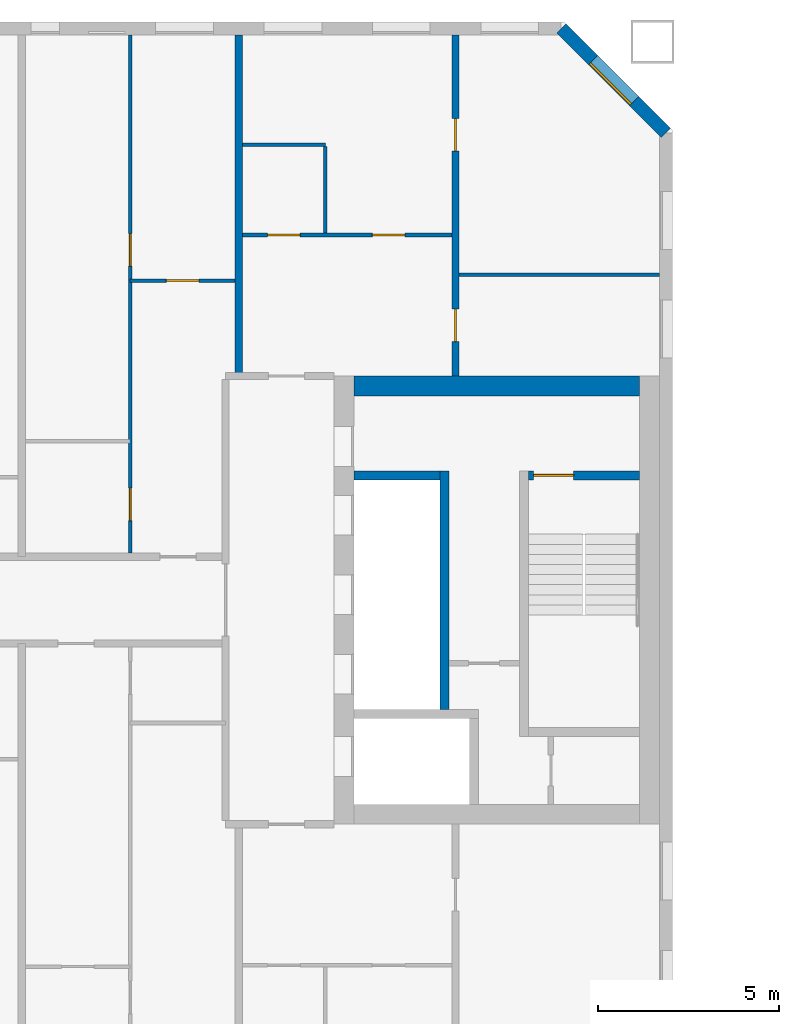
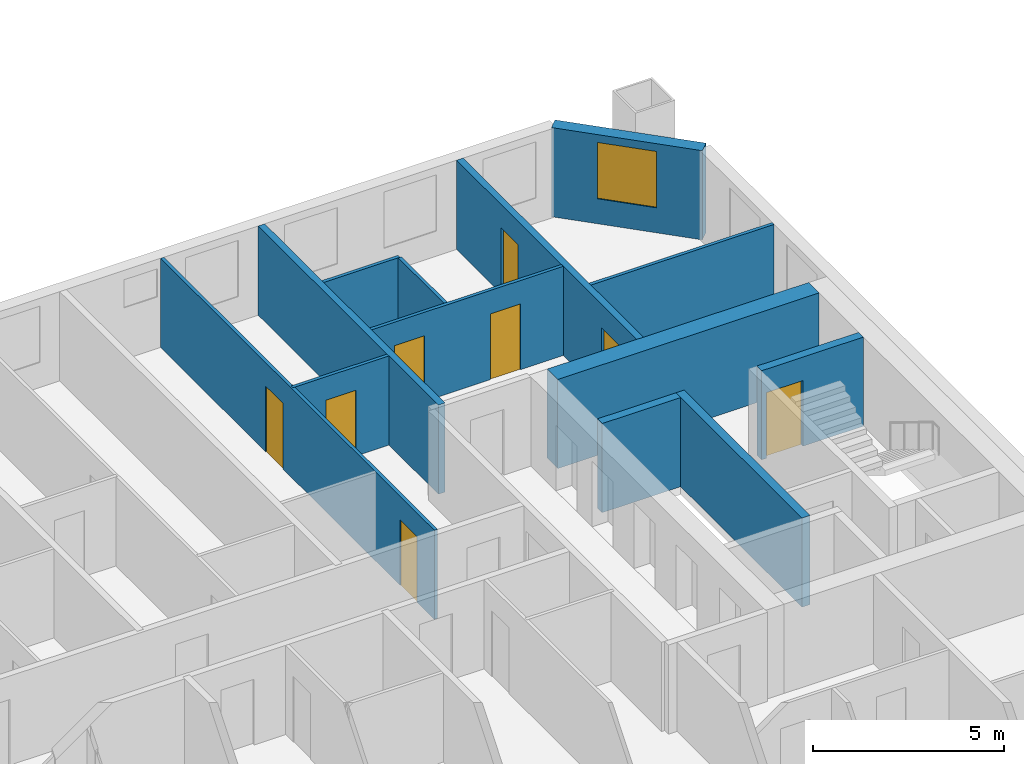
# One storey, part 8 of 16: 13 walls, 8 doors, 1 window, 9 openings.
"""IFC4 building model written with IfcOpenShell, lengths in metres."""

from ifc_helpers import new_model, si_unit, direction, frame, frame_2d, origin, place, context, subcontext, project, spatial, rectangle, extrude, material, layer, layer_set, type_object, element, fill, save


model = new_model("IFC4")

# Units and contexts
model_context = context("Model", 3, precision=1e-05, world=origin(), true_north=direction((0.0, 1.0)))
body_context = subcontext(model_context, "Body", "Model", "MODEL_VIEW")
ifc_project = project(units=[si_unit("LENGTHUNIT", "METRE"), si_unit("AREAUNIT", "SQUARE_METRE"), si_unit("VOLUMEUNIT", "CUBIC_METRE"), si_unit("PLANEANGLEUNIT", "RADIAN"), si_unit("MASSUNIT", "GRAM", prefix="KILO")], contexts=[model_context])

# Site, building, storey
site_placement = place(None, origin())
site = spatial("IfcSite", under=ifc_project, at=site_placement, CompositionType="ELEMENT")
building_placement = place(site_placement, origin())
building = spatial("IfcBuilding", under=site, at=building_placement, Name="Tuart Gate Housing", CompositionType="ELEMENT")
storey_placement = place(building_placement, frame((0.0, 0.0, 133.0)))
storey = spatial("IfcBuildingStorey", under=building, at=storey_placement, Name="L37", CompositionType="ELEMENT", Elevation=133.0)

# Wall, opening, window
ifc_material_1 = material(Name="Brick", Category="masonry")
ifc_layer_1 = layer(ifc_material_1, 0.360107421875)
ifc_layer_set_1 = layer_set([ifc_layer_1], Name="Brick pier and spandrel wall 360")
wall_type_1 = type_object("IfcWallType", Name="Brick pier and spandrel wall 360", PredefinedType="STANDARD", material=ifc_layer_set_1)
wall_1_placement = place(storey_placement, frame((75.820068359375, 82.92529296875, 0.0), z_axis=(0.0, 0.0, 1.0), x_axis=(-0.707106781187, 0.707106781187, 0.0)))
wall_1 = element("IfcWall", 1, at=wall_1_placement, inside=storey, type_object=wall_type_1, Name="External wall A-NE L37", PredefinedType="STANDARD", context=body_context, shape_type="SweptSolid", body=[
    extrude(rectangle(XDim=4.09375, YDim=0.360107421875, at=frame_2d((2.046875, 0.0))), origin(), (0.0, 0.0, 1.0), 2.85009765625),
])
opening_1_placement = place(wall_1_placement, frame((1.2470703125, 0.0, 0.800048828125)))
opening_1 = element("IfcOpeningElement", 2, at=opening_1_placement, cuts=wall_1, Name="Opening W1", PredefinedType="OPENING", context=body_context, shape_type="SweptSolid", body=[
    extrude(rectangle(XDim=1.60009765625, YDim=1.800048828125, at=frame_2d((0.800048828125, 0.89990234375))), frame((0.0, 0.18994140625, 0.0), z_axis=(0.0, -1.0, 0.0), x_axis=(1.0, 0.0, 0.0)), (0.0, 0.0, 1.0), 0.380126953125),
])
ifc_material_2 = material(Name="Aluminium frame with clear glass", Category="aluminium")
window_type = type_object("IfcWindowType", Name="Punched window 1600 x 1800", PartitioningType="SINGLE_PANEL", PredefinedType="WINDOW", material=ifc_material_2)
window_placement = place(opening_1_placement, origin())
window = element("IfcWindow", 3, at=window_placement, inside=storey, type_object=window_type, Name="Window W1", OverallHeight=1.800048828125, OverallWidth=1.60009765625, PartitioningType="SINGLE_PANEL", PredefinedType="WINDOW", context=body_context, shape_type="SweptSolid", body=[
    extrude(rectangle(XDim=1.60009765625, YDim=1.800048828125, at=frame_2d((0.800048828125, 0.89990234375))), frame((0.0, 0.150146484375, 0.0), z_axis=(0.0, -1.0, 0.0), x_axis=(1.0, 0.0, 0.0)), (0.0, 0.0, 1.0), 0.06005859375),
])
fill(opening_1, window)

# Wall
ifc_material_3 = material(Name="Concrete C50", Category="concrete")
ifc_layer_2 = layer(ifc_material_3, 0.25)
ifc_layer_set_2 = layer_set([ifc_layer_2], Name="Core wall 250 C50")
wall_type_2 = type_object("IfcWallType", Name="Core wall 250 C50", PredefinedType="SHEAR", material=ifc_layer_set_2)
wall_2_placement = place(storey_placement, frame((67.18994140625, 73.449951171875, 0.0), z_axis=(0.0, 0.0, 1.0), x_axis=(1.0, 0.0, 0.0)))
element("IfcWall", 4, at=wall_2_placement, inside=storey, type_object=wall_type_2, Name="Core wall AG.4", PredefinedType="SHEAR", context=body_context, shape_type="SweptSolid", body=[
    extrude(rectangle(XDim=2.375, YDim=0.25, at=frame_2d((1.1875, 0.0))), origin(), (0.0, 0.0, 1.0), 2.85009765625),
])

# Wall, opening, door
wall_3_placement = place(storey_placement, frame((72.014892578125, 73.449951171875, 0.0), z_axis=(0.0, 0.0, 1.0), x_axis=(1.0, 0.0, 0.0)))
wall_3 = element("IfcWall", 5, at=wall_3_placement, inside=storey, type_object=wall_type_2, Name="Core wall AG.5", PredefinedType="SHEAR", context=body_context, shape_type="SweptSolid", body=[
    extrude(rectangle(XDim=3.0751953125, YDim=0.25, at=frame_2d((1.53759765625, 0.0))), origin(), (0.0, 0.0, 1.0), 2.85009765625),
])
opening_2_placement = place(wall_3_placement, frame((0.14990234375, 0.0, 0.0)))
opening_2 = element("IfcOpeningElement", 6, at=opening_2_placement, cuts=wall_3, Name="Opening D1423", PredefinedType="OPENING", context=body_context, shape_type="SweptSolid", body=[
    extrude(rectangle(XDim=1.10009765625, YDim=2.10009765625, at=frame_2d((0.550048828125, 1.050048828125))), frame((0.0, 0.135009765625, 0.0), z_axis=(0.0, -1.0, 0.0), x_axis=(1.0, 0.0, 0.0)), (0.0, 0.0, 1.0), 0.27001953125),
])
ifc_material_4 = material(Name="Steel fire door", Category="steel")
door_type_1 = type_object("IfcDoorType", Name="Stair door 1100 x 2100 RH", OperationType="SINGLE_SWING_RIGHT", PredefinedType="DOOR", material=ifc_material_4)
door_1_placement = place(opening_2_placement, frame((1.10009765625, 0.0, 0.0), z_axis=(0.0, 0.0, 1.0), x_axis=(-1.0, 0.0, 0.0)))
door_1 = element("IfcDoor", 7, at=door_1_placement, inside=storey, type_object=door_type_1, Name="Stair door AG.SD", OperationType="SINGLE_SWING_RIGHT", OverallHeight=2.10009765625, OverallWidth=1.10009765625, PredefinedType="DOOR", context=body_context, shape_type="SweptSolid", body=[
    extrude(rectangle(XDim=1.10009765625, YDim=2.10009765625, at=frame_2d((0.550048828125, 1.050048828125))), frame((0.0, 0.025146484375, 0.0), z_axis=(0.0, -1.0, 0.0), x_axis=(1.0, 0.0, 0.0)), (0.0, 0.0, 1.0), 0.050048828125),
])
fill(opening_2, door_1)

# Walls
wall_4_placement = place(storey_placement, frame((69.68994140625, 66.97509765625, 0.0), z_axis=(0.0, 0.0, 1.0), x_axis=(0.0, 1.0, 0.0)))
element("IfcWall", 8, at=wall_4_placement, inside=storey, type_object=wall_type_2, Name="Core wall AG.6", PredefinedType="SHEAR", context=body_context, shape_type="SweptSolid", body=[
    extrude(rectangle(XDim=6.599853515625, YDim=0.25, at=frame_2d((3.2998046875, 0.0))), origin(), (0.0, 0.0, 1.0), 2.85009765625),
])
ifc_material_5 = material(Name="Concrete C50", Category="concrete")
ifc_layer_3 = layer(ifc_material_5, 0.550048828125)
ifc_layer_set_3 = layer_set([ifc_layer_3], Name="Core wall 550 C50")
wall_type_3 = type_object("IfcWallType", Name="Core wall 550 C50", PredefinedType="SHEAR", material=ifc_layer_set_3)
wall_5_placement = place(storey_placement, frame((67.18994140625, 75.925048828125, 0.0), z_axis=(0.0, 0.0, 1.0), x_axis=(1.0, 0.0, 0.0)))
element("IfcWall", 9, at=wall_5_placement, inside=storey, type_object=wall_type_3, Name="Core wall AG north", PredefinedType="SHEAR", context=body_context, shape_type="SweptSolid", body=[
    extrude(rectangle(XDim=7.900146484375, YDim=0.550048828125, at=frame_2d((3.9501953125, 0.0))), origin(), (0.0, 0.0, 1.0), 2.85009765625),
])

# Wall, opening, door
ifc_material_6 = material(Name="Gypsum board on steel studs", Category="steel")
ifc_layer_4 = layer(ifc_material_6, 0.10009765625)
ifc_layer_set_4 = layer_set([ifc_layer_4], Name="Partition 100")
wall_type_4 = type_object("IfcWallType", Name="Partition 100", PredefinedType="PARTITIONING", material=ifc_layer_set_4)
wall_6_placement = place(storey_placement, frame((61.0, 78.840087890625, 0.0), z_axis=(0.0, 0.0, 1.0), x_axis=(1.0, 0.0, 0.0)))
wall_6 = element("IfcWall", 10, at=wall_6_placement, inside=storey, type_object=wall_type_4, Name="Partition 100", PredefinedType="PARTITIONING", context=body_context, shape_type="SweptSolid", body=[
    extrude(rectangle(XDim=2.89990234375, YDim=0.10009765625, at=frame_2d((1.449951171875, 0.0))), origin(), (0.0, 0.0, 1.0), 2.85009765625),
])
opening_3_placement = place(wall_6_placement, frame((1.0, 0.0, 0.0)))
opening_3 = element("IfcOpeningElement", 11, at=opening_3_placement, cuts=wall_6, Name="Opening D1410", PredefinedType="OPENING", context=body_context, shape_type="SweptSolid", body=[
    extrude(rectangle(XDim=0.89990234375, YDim=2.10009765625, at=frame_2d((0.449951171875, 1.050048828125))), frame((0.0, 0.06005859375, 0.0), z_axis=(0.0, -1.0, 0.0), x_axis=(1.0, 0.0, 0.0)), (0.0, 0.0, 1.0), 0.1201171875),
])
ifc_material_7 = material(Name="Timber door leaf in steel frame", Category="steel")
door_type_2 = type_object("IfcDoorType", Name="Internal door 900 RH", OperationType="SINGLE_SWING_RIGHT", PredefinedType="DOOR", material=ifc_material_7)
door_2_placement = place(opening_3_placement, frame((0.89990234375, 0.0, 0.0), z_axis=(0.0, 0.0, 1.0), x_axis=(-1.0, 0.0, 0.0)))
door_2 = element("IfcDoor", 12, at=door_2_placement, inside=storey, type_object=door_type_2, Name="Internal door", OperationType="SINGLE_SWING_RIGHT", OverallHeight=2.10009765625, OverallWidth=0.89990234375, PredefinedType="DOOR", context=body_context, shape_type="SweptSolid", body=[
    extrude(rectangle(XDim=0.89990234375, YDim=2.10009765625, at=frame_2d((0.449951171875, 1.050048828125))), frame((0.0, 0.025146484375, 0.0), z_axis=(0.0, -1.0, 0.0), x_axis=(1.0, 0.0, 0.0)), (0.0, 0.0, 1.0), 0.050048828125),
])
fill(opening_3, door_2)

# Wall
wall_7_placement = place(storey_placement, frame((70.10009765625, 79.0, 0.0), z_axis=(0.0, 0.0, 1.0), x_axis=(1.0, 0.0, 0.0)))
element("IfcWall", 13, at=wall_7_placement, inside=storey, type_object=wall_type_4, Name="Partition 100", PredefinedType="PARTITIONING", context=body_context, shape_type="SweptSolid", body=[
    extrude(rectangle(XDim=5.539794921875, YDim=0.10009765625, at=frame_2d((2.77001953125, 0.0))), origin(), (0.0, 0.0, 1.0), 2.85009765625),
])

# Wall, openings, doors
wall_8_placement = place(storey_placement, frame((64.10009765625, 80.10009765625, 0.0), z_axis=(0.0, 0.0, 1.0), x_axis=(1.0, 0.0, 0.0)))
wall_8 = element("IfcWall", 14, at=wall_8_placement, inside=storey, type_object=wall_type_4, Name="Partition 100", PredefinedType="PARTITIONING", context=body_context, shape_type="SweptSolid", body=[
    extrude(rectangle(XDim=5.7998046875, YDim=0.10009765625, at=frame_2d((2.89990234375, 0.0))), origin(), (0.0, 0.0, 1.0), 2.85009765625),
])
opening_4_placement = place(wall_8_placement, frame((3.60009765625, 0.0, 0.0)))
opening_4 = element("IfcOpeningElement", 15, at=opening_4_placement, cuts=wall_8, Name="Opening D1408", PredefinedType="OPENING", context=body_context, shape_type="SweptSolid", body=[
    extrude(rectangle(XDim=0.89990234375, YDim=2.10009765625, at=frame_2d((0.449951171875, 1.050048828125))), frame((0.0, 0.06005859375, 0.0), z_axis=(0.0, -1.0, 0.0), x_axis=(1.0, 0.0, 0.0)), (0.0, 0.0, 1.0), 0.1201171875),
])
opening_5_placement = place(wall_8_placement, frame((0.699951171875, 0.0, 0.0)))
opening_5 = element("IfcOpeningElement", 16, at=opening_5_placement, cuts=wall_8, Name="Opening D1407", PredefinedType="OPENING", context=body_context, shape_type="SweptSolid", body=[
    extrude(rectangle(XDim=0.89990234375, YDim=2.10009765625, at=frame_2d((0.449951171875, 1.050048828125))), frame((0.0, 0.06005859375, 0.0), z_axis=(0.0, -1.0, 0.0), x_axis=(1.0, 0.0, 0.0)), (0.0, 0.0, 1.0), 0.1201171875),
])
ifc_material_8 = material(Name="Timber door leaf in steel frame", Category="steel")
door_type_3 = type_object("IfcDoorType", Name="Bathroom door 900 RH", OperationType="SINGLE_SWING_RIGHT", PredefinedType="DOOR", material=ifc_material_8)
door_3_placement = place(opening_5_placement, origin())
door_3 = element("IfcDoor", 17, at=door_3_placement, inside=storey, type_object=door_type_3, Name="Bathroom door", OperationType="SINGLE_SWING_RIGHT", OverallHeight=2.10009765625, OverallWidth=0.89990234375, PredefinedType="DOOR", context=body_context, shape_type="SweptSolid", body=[
    extrude(rectangle(XDim=0.89990234375, YDim=2.10009765625, at=frame_2d((0.449951171875, 1.050048828125))), frame((0.0, 0.02490234375, 0.0), z_axis=(0.0, -1.0, 0.0), x_axis=(1.0, 0.0, 0.0)), (0.0, 0.0, 1.0), 0.050048828125),
])
fill(opening_5, door_3)
ifc_material_9 = material(Name="Timber door leaf in steel frame", Category="steel")
door_type_4 = type_object("IfcDoorType", Name="Internal door 900", OperationType="SINGLE_SWING_LEFT", PredefinedType="DOOR", material=ifc_material_9)
door_4_placement = place(opening_4_placement, frame((0.89990234375, 0.0, 0.0), z_axis=(0.0, 0.0, 1.0), x_axis=(-1.0, 0.0, 0.0)))
door_4 = element("IfcDoor", 18, at=door_4_placement, inside=storey, type_object=door_type_4, Name="Internal door", OperationType="SINGLE_SWING_LEFT", OverallHeight=2.10009765625, OverallWidth=0.89990234375, PredefinedType="DOOR", context=body_context, shape_type="SweptSolid", body=[
    extrude(rectangle(XDim=0.89990234375, YDim=2.10009765625, at=frame_2d((0.449951171875, 1.050048828125))), frame((0.0, 0.025146484375, 0.0), z_axis=(0.0, -1.0, 0.0), x_axis=(1.0, 0.0, 0.0)), (0.0, 0.0, 1.0), 0.050048828125),
])
fill(opening_4, door_4)

# Wall
wall_9_placement = place(storey_placement, frame((64.10009765625, 82.60009765625, 0.0), z_axis=(0.0, 0.0, 1.0), x_axis=(1.0, 0.0, 0.0)))
element("IfcWall", 19, at=wall_9_placement, inside=storey, type_object=wall_type_4, Name="Partition 100", PredefinedType="PARTITIONING", context=body_context, shape_type="SweptSolid", body=[
    extrude(rectangle(XDim=2.2998046875, YDim=0.10009765625, at=frame_2d((1.14990234375, 0.0))), origin(), (0.0, 0.0, 1.0), 2.85009765625),
])

# Wall, openings, doors
wall_10_placement = place(storey_placement, frame((61.0, 71.300048828125, 0.0), z_axis=(0.0, 0.0, 1.0), x_axis=(0.0, 1.0, 0.0)))
wall_10 = element("IfcWall", 20, at=wall_10_placement, inside=storey, type_object=wall_type_4, Name="Partition 100", PredefinedType="PARTITIONING", context=body_context, shape_type="SweptSolid", body=[
    extrude(rectangle(XDim=14.33984375, YDim=0.10009765625, at=frame_2d((7.169921875, 0.0))), origin(), (0.0, 0.0, 1.0), 2.85009765625),
])
opening_6_placement = place(wall_10_placement, frame((7.93994140625, 0.0, 0.0)))
opening_6 = element("IfcOpeningElement", 21, at=opening_6_placement, cuts=wall_10, Name="Opening D1419", PredefinedType="OPENING", context=body_context, shape_type="SweptSolid", body=[
    extrude(rectangle(XDim=0.89990234375, YDim=2.10009765625, at=frame_2d((0.449951171875, 1.050048828125))), frame((0.0, 0.06005859375, 0.0), z_axis=(0.0, -1.0, 0.0), x_axis=(1.0, 0.0, 0.0)), (0.0, 0.0, 1.0), 0.1201171875),
])
opening_7_placement = place(wall_10_placement, frame((0.89990234375, 0.0, 0.0)))
opening_7 = element("IfcOpeningElement", 22, at=opening_7_placement, cuts=wall_10, Name="Opening D1418", PredefinedType="OPENING", context=body_context, shape_type="SweptSolid", body=[
    extrude(rectangle(XDim=0.89990234375, YDim=2.10009765625, at=frame_2d((0.449951171875, 1.050048828125))), frame((0.0, 0.06005859375, 0.0), z_axis=(0.0, -1.0, 0.0), x_axis=(1.0, 0.0, 0.0)), (0.0, 0.0, 1.0), 0.1201171875),
])
ifc_material_10 = material(Name="Timber door leaf in steel frame", Category="steel")
door_type_5 = type_object("IfcDoorType", Name="Bathroom door 900", OperationType="SINGLE_SWING_LEFT", PredefinedType="DOOR", material=ifc_material_10)
door_5_placement = place(opening_7_placement, origin())
door_5 = element("IfcDoor", 23, at=door_5_placement, inside=storey, type_object=door_type_5, Name="Bathroom door", OperationType="SINGLE_SWING_LEFT", OverallHeight=2.10009765625, OverallWidth=0.89990234375, PredefinedType="DOOR", context=body_context, shape_type="SweptSolid", body=[
    extrude(rectangle(XDim=0.89990234375, YDim=2.10009765625, at=frame_2d((0.449951171875, 1.050048828125))), frame((0.0, 0.02490234375, 0.0), z_axis=(0.0, -1.0, 0.0), x_axis=(1.0, 0.0, 0.0)), (0.0, 0.0, 1.0), 0.050048828125),
])
fill(opening_7, door_5)
door_6_placement = place(opening_6_placement, origin())
door_6 = element("IfcDoor", 24, at=door_6_placement, inside=storey, type_object=door_type_4, Name="Internal door", OperationType="SINGLE_SWING_LEFT", OverallHeight=2.10009765625, OverallWidth=0.89990234375, PredefinedType="DOOR", context=body_context, shape_type="SweptSolid", body=[
    extrude(rectangle(XDim=0.89990234375, YDim=2.10009765625, at=frame_2d((0.449951171875, 1.050048828125))), frame((0.0, 0.02490234375, 0.0), z_axis=(0.0, -1.0, 0.0), x_axis=(1.0, 0.0, 0.0)), (0.0, 0.0, 1.0), 0.050048828125),
])
fill(opening_6, door_6)

# Walls
wall_11_placement = place(storey_placement, frame((66.39990234375, 80.14990234375, 0.0), z_axis=(0.0, 0.0, 1.0), x_axis=(0.0, 1.0, 0.0)))
element("IfcWall", 25, at=wall_11_placement, inside=storey, type_object=wall_type_4, Name="Partition 100", PredefinedType="PARTITIONING", context=body_context, shape_type="SweptSolid", body=[
    extrude(rectangle(XDim=2.400146484375, YDim=0.10009765625, at=frame_2d((1.2001953125, 0.0))), origin(), (0.0, 0.0, 1.0), 2.85009765625),
])
ifc_material_11 = material(Name="Concrete C40", Category="concrete")
ifc_layer_5 = layer(ifc_material_11, 0.199951171875)
ifc_layer_set_5 = layer_set([ifc_layer_5], Name="Party wall concrete C40 200")
wall_type_5 = type_object("IfcWallType", Name="Party wall concrete C40 200", PredefinedType="SOLIDWALL", material=ifc_layer_set_5)
wall_12_placement = place(storey_placement, frame((64.0, 76.199951171875, 0.0), z_axis=(0.0, 0.0, 1.0), x_axis=(0.0, 1.0, 0.0)))
element("IfcWall", 26, at=wall_12_placement, inside=storey, type_object=wall_type_5, Name="Party wall concrete C40 200", PredefinedType="SOLIDWALL", context=body_context, shape_type="SweptSolid", body=[
    extrude(rectangle(XDim=9.43994140625, YDim=0.199951171875, at=frame_2d((4.719970703125, 0.0))), origin(), (0.0, 0.0, 1.0), 2.85009765625),
])

# Wall, openings, doors
wall_13_placement = place(storey_placement, frame((70.0, 76.199951171875, 0.0), z_axis=(0.0, 0.0, 1.0), x_axis=(0.0, 1.0, 0.0)))
wall_13 = element("IfcWall", 27, at=wall_13_placement, inside=storey, type_object=wall_type_5, Name="Party wall concrete C40 200", PredefinedType="SOLIDWALL", context=body_context, shape_type="SweptSolid", body=[
    extrude(rectangle(XDim=9.43994140625, YDim=0.199951171875, at=frame_2d((4.719970703125, 0.0))), origin(), (0.0, 0.0, 1.0), 2.85009765625),
])
opening_8_placement = place(wall_13_placement, frame((6.219970703125, 0.0, 0.0)))
opening_8 = element("IfcOpeningElement", 28, at=opening_8_placement, cuts=wall_13, Name="Opening D1402", PredefinedType="OPENING", context=body_context, shape_type="SweptSolid", body=[
    extrude(rectangle(XDim=0.89990234375, YDim=2.10009765625, at=frame_2d((0.449951171875, 1.050048828125))), frame((0.0, 0.10986328125, 0.0), z_axis=(0.0, -1.0, 0.0), x_axis=(1.0, 0.0, 0.0)), (0.0, 0.0, 1.0), 0.219970703125),
])
opening_9_placement = place(wall_13_placement, frame((0.949951171875, 0.0, 0.0)))
opening_9 = element("IfcOpeningElement", 29, at=opening_9_placement, cuts=wall_13, Name="Opening D1403", PredefinedType="OPENING", context=body_context, shape_type="SweptSolid", body=[
    extrude(rectangle(XDim=0.89990234375, YDim=2.10009765625, at=frame_2d((0.449951171875, 1.050048828125))), frame((0.0, 0.10986328125, 0.0), z_axis=(0.0, -1.0, 0.0), x_axis=(1.0, 0.0, 0.0)), (0.0, 0.0, 1.0), 0.219970703125),
])
door_7_placement = place(opening_8_placement, frame((0.89990234375, 0.0, 0.0), z_axis=(0.0, 0.0, 1.0), x_axis=(-1.0, 0.0, 0.0)))
door_7 = element("IfcDoor", 30, at=door_7_placement, inside=storey, type_object=door_type_4, Name="Internal door", OperationType="SINGLE_SWING_LEFT", OverallHeight=2.10009765625, OverallWidth=0.89990234375, PredefinedType="DOOR", context=body_context, shape_type="SweptSolid", body=[
    extrude(rectangle(XDim=0.89990234375, YDim=2.10009765625, at=frame_2d((0.449951171875, 1.050048828125))), frame((0.0, 0.025146484375, 0.0), z_axis=(0.0, -1.0, 0.0), x_axis=(1.0, 0.0, 0.0)), (0.0, 0.0, 1.0), 0.050048828125),
])
fill(opening_8, door_7)
door_8_placement = place(opening_9_placement, frame((0.89990234375, 0.0, 0.0), z_axis=(0.0, 0.0, 1.0), x_axis=(-1.0, 0.0, 0.0)))
door_8 = element("IfcDoor", 31, at=door_8_placement, inside=storey, type_object=door_type_2, Name="Internal door", OperationType="SINGLE_SWING_RIGHT", OverallHeight=2.10009765625, OverallWidth=0.89990234375, PredefinedType="DOOR", context=body_context, shape_type="SweptSolid", body=[
    extrude(rectangle(XDim=0.89990234375, YDim=2.10009765625, at=frame_2d((0.449951171875, 1.050048828125))), frame((0.0, 0.025146484375, 0.0), z_axis=(0.0, -1.0, 0.0), x_axis=(1.0, 0.0, 0.0)), (0.0, 0.0, 1.0), 0.050048828125),
])
fill(opening_9, door_8)

save(model, "model.ifc")
